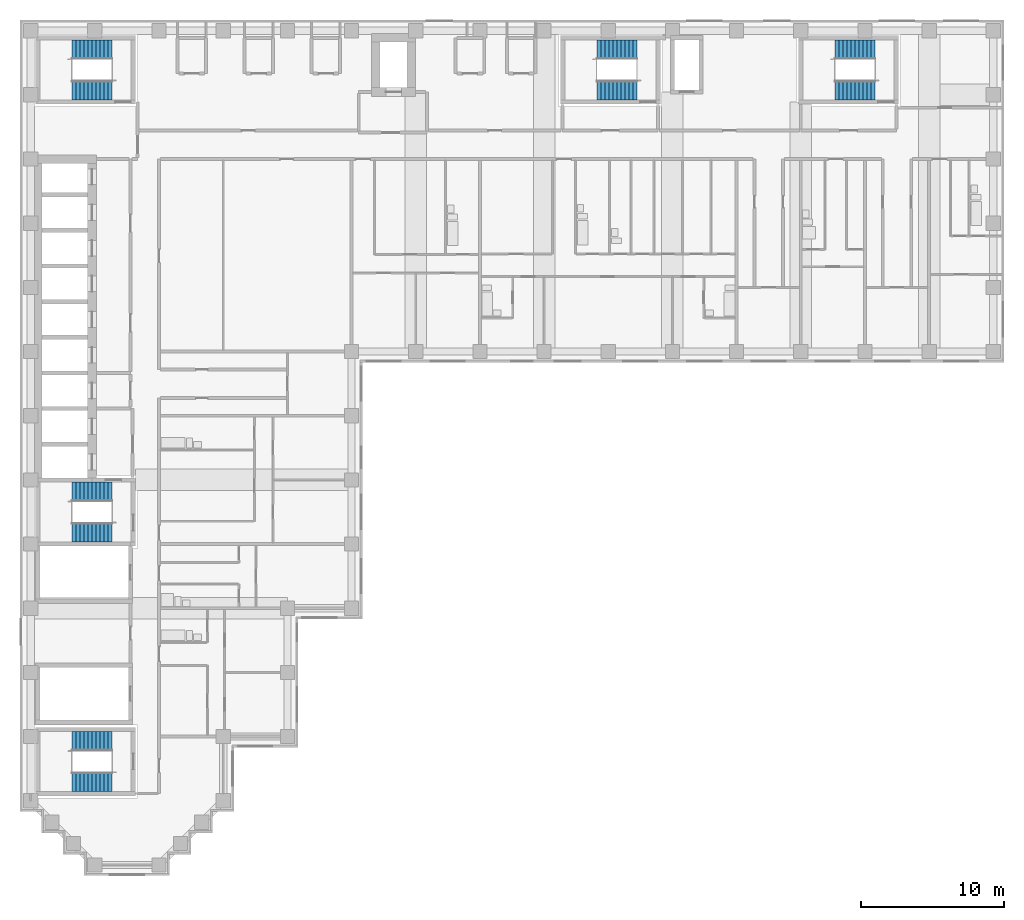
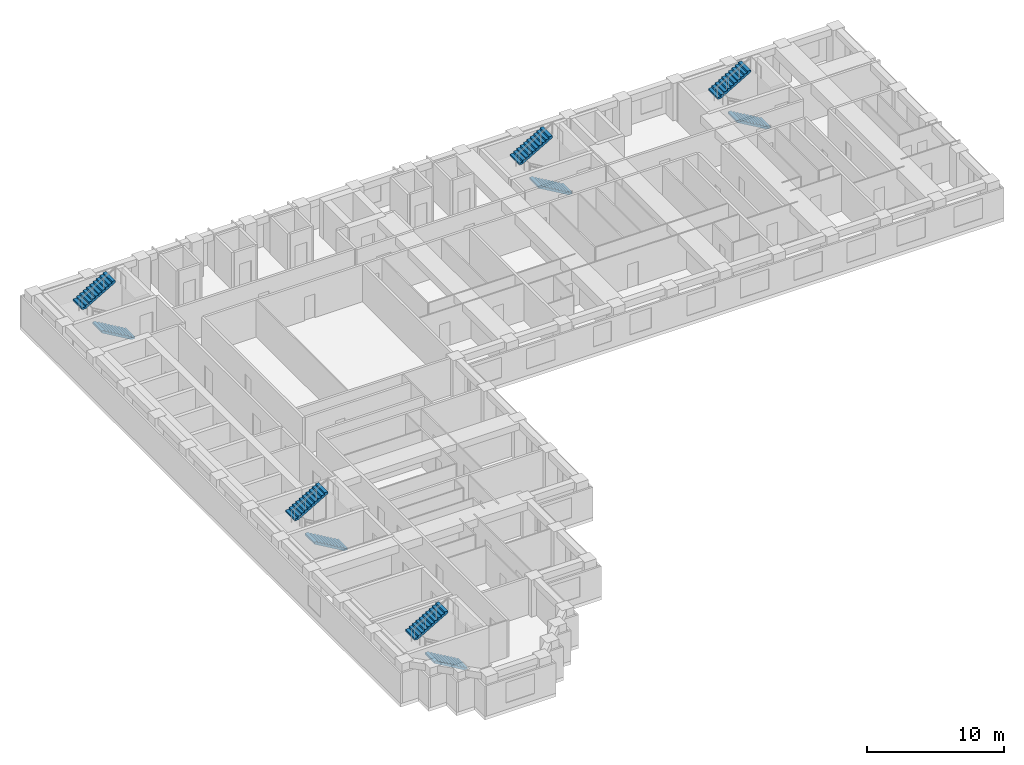
# One storey, part 10 of 12: 10 stair flights, 5 elements without a shape of their own.
"""IFC4 building model written with IfcOpenShell, lengths in metres."""

import ifcopenshell
import ifcopenshell.guid

model = None  # the IFC model being written
_history = None  # IfcOwnerHistory: only IFC2X3 demands one
_inside = {}  # id of a spatial element -> (the spatial element, [elements in it])
_under = {}  # id of a project, library or spatial element -> (it, [spatial elements below it])
_declared = {}  # id of a project -> (the project, [libraries it declares])
_typed = {}  # id of a type object -> (the type object, [elements of that type])
_made_of = {}  # id of a material, layer set ... -> (it, [elements and type objects made of it])


def new_model(schema):
    """Start an empty IFC model of exactly this schema.

    Asked for "IFC4X3", IfcOpenShell would pick the latest addendum, in which some entities
    have other attributes; the version numbers below select the first issue.
    IFC2X3 requires an IfcOwnerHistory on every rooted entity: one is made here for all.
    """
    global model, _history
    if schema == "IFC4X3":
        model = ifcopenshell.file(schema_version=(4, 3, 0, 0))
    else:
        model = ifcopenshell.file(schema=schema)
    _inside.clear()
    _under.clear()
    _declared.clear()
    _typed.clear()
    _made_of.clear()
    _history = None
    if model.schema == "IFC2X3":
        org = make("IfcOrganization", Name="unknown")
        user = make(
            "IfcPersonAndOrganization",
            ThePerson=make("IfcPerson", FamilyName="unknown"),
            TheOrganization=org,
        )
        app = make(
            "IfcApplication",
            ApplicationDeveloper=org,
            Version="unknown",
            ApplicationFullName="unknown",
            ApplicationIdentifier="unknown",
        )
        _history = make(
            "IfcOwnerHistory",
            OwningUser=user,
            OwningApplication=app,
            ChangeAction="ADDED",
            CreationDate=0,
        )
    return model


def make(cls, **values):
    """One entity of the class cls with the attributes given. An attribute that is None is left unset."""
    return model.create_entity(
        cls, **{name: value for name, value in values.items() if value is not None}
    )


def rooted(cls, **values):
    """An entity with a GlobalId (a new one), such as an element, a storey or a relation."""
    return make(cls, GlobalId=ifcopenshell.guid.new(), OwnerHistory=_history, **values)


def si_unit(unit_type, name, prefix=None):
    """IfcSIUnit, for example si_unit("LENGTHUNIT", "METRE", prefix="MILLI")."""
    return make("IfcSIUnit", UnitType=unit_type, Prefix=prefix, Name=name)


def assignment(units):
    """IfcUnitAssignment: the units of a project."""
    return None if units is None else make("IfcUnitAssignment", Units=units)


def point(xyz):
    """IfcCartesianPoint."""
    return None if xyz is None else make("IfcCartesianPoint", Coordinates=xyz)


def direction(xyz):
    """IfcDirection."""
    return None if xyz is None else make("IfcDirection", DirectionRatios=xyz)


def frame(location, z_axis=None, x_axis=None):
    """IfcAxis2Placement3D, a coordinate frame: its origin and axes. An axis left out is left unset."""
    return make(
        "IfcAxis2Placement3D",
        Location=point(location),
        Axis=direction(z_axis),
        RefDirection=direction(x_axis),
    )


def origin():
    """The frame at (0, 0, 0) with its axes left unset."""
    return frame((0.0, 0.0, 0.0))


def place(relative_to, where):
    """IfcLocalPlacement: puts the frame where relative to a parent placement (None: the world)."""
    return make(
        "IfcLocalPlacement", PlacementRelTo=relative_to, RelativePlacement=where
    )


def context(
    kind, dimensions, precision=None, world=None, true_north=None, identifier=None
):
    """IfcGeometricRepresentationContext, for example the 3D "Model" context."""
    return make(
        "IfcGeometricRepresentationContext",
        ContextIdentifier=identifier,
        ContextType=kind,
        CoordinateSpaceDimension=dimensions,
        Precision=precision,
        WorldCoordinateSystem=world,
        TrueNorth=true_north,
    )


def subcontext(parent, identifier, kind, view, scale=None):
    """IfcGeometricRepresentationSubContext, for example "Body" below "Model"."""
    return make(
        "IfcGeometricRepresentationSubContext",
        ContextIdentifier=identifier,
        ContextType=kind,
        ParentContext=parent,
        TargetScale=scale,
        TargetView=view,
    )


def project(units=None, contexts=None):
    """IfcProject with its units and contexts."""
    return rooted(
        "IfcProject",
        Name="project",
        RepresentationContexts=contexts,
        UnitsInContext=assignment(units),
    )


def spatial(cls, under=None, at=None, **own):
    """A site, building, storey or space (cls), placed at a placement, below another one or the project."""
    s = rooted(cls, ObjectPlacement=at, **own)
    if under is not None:
        _under.setdefault(under.id(), (under, []))[1].append(s)
    return s


def polyline(points):
    """IfcPolyline through the points."""
    return make("IfcPolyline", Points=[point(p) for p in points])


def outline(outer, holes=None, kind="AREA"):
    """IfcArbitraryClosedProfileDef: a profile drawn as a closed curve; with holes, ...WithVoids."""
    if holes is None:
        return make("IfcArbitraryClosedProfileDef", ProfileType=kind, OuterCurve=outer)
    return make(
        "IfcArbitraryProfileDefWithVoids",
        ProfileType=kind,
        OuterCurve=outer,
        InnerCurves=holes,
    )


def extrude(swept, where, along, depth):
    """IfcExtrudedAreaSolid: the profile swept, set in the frame where, extruded along a direction by depth."""
    return make(
        "IfcExtrudedAreaSolid",
        SweptArea=swept,
        Position=where,
        ExtrudedDirection=direction(along),
        Depth=depth,
    )


def shape(context_of_items, identifier, shape_type, items):
    """IfcShapeRepresentation: the items that make up one representation, for example the "Body"."""
    return make(
        "IfcShapeRepresentation",
        ContextOfItems=context_of_items,
        RepresentationIdentifier=identifier,
        RepresentationType=shape_type,
        Items=items,
    )


def material(Name=None, Category=None):
    """IfcMaterial."""
    return make("IfcMaterial", Name=Name, Category=Category)


def made_of(thing, what):
    """Note that an element or type object is made of a material, layer set ...; save() writes the relation."""
    if what is not None:
        _made_of.setdefault(what.id(), (what, []))[1].append(thing)
    return thing


def type_object(cls, material=None, **own):
    """A type object (cls), such as IfcWallType, which elements share."""
    return made_of(rooted(cls, **own), material)


def element(
    cls,
    number,
    at=None,
    inside=None,
    cuts=None,
    type_object=None,
    material=None,
    context=None,
    identifier="Body",
    shape_type=None,
    held_by="IfcProductDefinitionShape",
    body=None,
    shapes=None,
    **own,
):
    """One element of the class cls, such as IfcWall. Its Tag is "e" and its number.

    at: its placement. inside: the storey or other place that contains it. cuts: it is an
    opening in that element (IfcRelVoidsElement). A single representation is given by context,
    identifier, shape_type and body (its items); several are given by shapes. held_by: the class
    of the entity that holds the representations. save() writes the other relations.
    """
    e = rooted(cls, Tag="e%d" % number, ObjectPlacement=at, **own)
    if body is not None:
        shapes = [shape(context, identifier, shape_type, body)]
    if shapes is not None:
        e.Representation = make(held_by, Representations=shapes)
    if inside is not None:
        _inside.setdefault(inside.id(), (inside, []))[1].append(e)
    if cuts is not None:
        rooted(
            "IfcRelVoidsElement", RelatingBuildingElement=cuts, RelatedOpeningElement=e
        )
    if type_object is not None:
        _typed.setdefault(type_object.id(), (type_object, []))[1].append(e)
    return made_of(e, material)


def aggregate(whole, parts):
    """IfcRelAggregates: a whole, such as a stair, and the parts it consists of."""
    return rooted("IfcRelAggregates", RelatingObject=whole, RelatedObjects=parts)


def save(model, path):
    """Write the relations noted so far, then the file.

    IfcRelAggregates (storeys below a building ...), IfcRelContainedInSpatialStructure (elements
    in a storey), IfcRelDefinesByType, IfcRelAssociatesMaterial and IfcRelDeclares: one each for
    every whole, place, type object, material and project.
    """
    for whole, parts in _under.values():
        aggregate(whole, parts)
    for where, things in _inside.values():
        rooted(
            "IfcRelContainedInSpatialStructure",
            RelatedElements=things,
            RelatingStructure=where,
        )
    for kind, things in _typed.values():
        rooted("IfcRelDefinesByType", RelatedObjects=things, RelatingType=kind)
    for what, things in _made_of.values():
        rooted("IfcRelAssociatesMaterial", RelatedObjects=things, RelatingMaterial=what)
    for by, libraries in _declared.values():
        rooted("IfcRelDeclares", RelatingContext=by, RelatedDefinitions=libraries)
    model.write(path)


model = new_model("IFC4")

# Units and contexts
model_context = context("Model", 3, precision=1e-05, world=origin(), true_north=direction((0.0, 1.0)))
body_context = subcontext(model_context, "Body", "Model", "MODEL_VIEW")
ifc_project = project(units=[si_unit("LENGTHUNIT", "METRE"), si_unit("AREAUNIT", "SQUARE_METRE"), si_unit("VOLUMEUNIT", "CUBIC_METRE"), si_unit("PLANEANGLEUNIT", "RADIAN"), si_unit("MASSUNIT", "GRAM", prefix="KILO")], contexts=[model_context])

# Site, building, storey
site_placement = place(None, origin())
site = spatial("IfcSite", under=ifc_project, at=site_placement, CompositionType="ELEMENT")
building_placement = place(site_placement, origin())
building = spatial("IfcBuilding", under=site, at=building_placement, Name="Firuza Court", CompositionType="ELEMENT")
storey_placement = place(building_placement, frame((0.0, 0.0, 123.199951171875)))
storey = spatial("IfcBuildingStorey", under=building, at=storey_placement, Name="L30", CompositionType="ELEMENT", Elevation=123.199951171875)

# Stair, stair flights
ifc_material_1 = material(Name="Concrete C40/50 precast", Category="concrete")
stair_type = type_object("IfcStairType", Name="Stair 1350 x 3600 2 flights", PredefinedType="HALF_TURN_STAIR", material=ifc_material_1)
stair_1_placement = place(storey_placement, origin())
stair_1 = element("IfcStair", 1, at=stair_1_placement, inside=storey, type_object=stair_type, Name="Stair 1 L30", PredefinedType="HALF_TURN_STAIR")
ifc_material_2 = material(Name="Concrete C40/50 precast", Category="concrete")
stair_flight_type = type_object("IfcStairFlightType", Name="Flight 1350 riser 163.6", PredefinedType="STRAIGHT", material=ifc_material_2)
stair_flight_1_placement = place(storey_placement, frame((42.5, 54.324951171875, 0.0), z_axis=(0.0, 0.0, 1.0), x_axis=(-1.0, 0.0, 0.0)))
stair_flight_1 = element("IfcStairFlight", 2, at=stair_flight_1_placement, type_object=stair_flight_type, Name="S1 flight 1", NumberOfRisers=11, NumberOfTreads=10, PredefinedType="STRAIGHT", RiserHeight=0.163636364, TreadLength=0.28, context=body_context, shape_type="SweptSolid", body=[
    extrude(outline(polyline([(0.0, 0.0), (0.0, 0.16357421875), (0.280029296875, 0.16357421875), (0.280029296875, 0.327392578125), (0.56005859375, 0.327392578125), (0.56005859375, 0.490966796875), (0.840087890625, 0.490966796875), (0.840087890625, 0.654541015625), (1.1201171875, 0.654541015625), (1.1201171875, 0.818115234375), (1.39990234375, 0.818115234375), (1.39990234375, 0.98193359375), (1.679931640625, 0.98193359375), (1.679931640625, 1.1455078125), (1.9599609375, 1.1455078125), (1.9599609375, 1.30908203125), (2.239990234375, 1.30908203125), (2.239990234375, 1.47265625), (2.52001953125, 1.47265625), (2.52001953125, 1.636474609375), (2.800048828125, 1.636474609375), (2.800048828125, 1.800048828125), (2.800048828125, 1.462646484375), (0.297119140625, 0.0), (0.0, 0.0)])), frame((0.0, 0.675048828125, 0.0), z_axis=(0.0, -1.0, 0.0), x_axis=(1.0, 0.0, 0.0)), (0.0, 0.0, 1.0), 1.35009765625),
])
stair_flight_2_placement = place(storey_placement, frame((39.699951171875, 57.175048828125, 1.800048828125), z_axis=(0.0, 0.0, 1.0), x_axis=(1.0, 0.0, 0.0)))
stair_flight_2 = element("IfcStairFlight", 3, at=stair_flight_2_placement, type_object=stair_flight_type, Name="S1 flight 2", NumberOfRisers=11, NumberOfTreads=10, PredefinedType="STRAIGHT", RiserHeight=0.163636364, TreadLength=0.28, context=body_context, shape_type="SweptSolid", body=[
    extrude(outline(polyline([(0.0, 0.0), (0.0, 0.16357421875), (0.280029296875, 0.16357421875), (0.280029296875, 0.327392578125), (0.56005859375, 0.327392578125), (0.56005859375, 0.490966796875), (0.840087890625, 0.490966796875), (0.840087890625, 0.654541015625), (1.1201171875, 0.654541015625), (1.1201171875, 0.818115234375), (1.39990234375, 0.818115234375), (1.39990234375, 0.98193359375), (1.679931640625, 0.98193359375), (1.679931640625, 1.1455078125), (1.9599609375, 1.1455078125), (1.9599609375, 1.30908203125), (2.239990234375, 1.30908203125), (2.239990234375, 1.47265625), (2.52001953125, 1.47265625), (2.52001953125, 1.636474609375), (2.800048828125, 1.636474609375), (2.800048828125, 1.800048828125), (2.800048828125, 1.462646484375), (0.297119140625, 0.0), (0.0, 0.0)])), frame((0.0, 0.675048828125, 0.0), z_axis=(0.0, -1.0, 0.0), x_axis=(1.0, 0.0, 0.0)), (0.0, 0.0, 1.0), 1.35009765625),
])
aggregate(stair_1, [stair_flight_1, stair_flight_2])

stair_2_placement = place(storey_placement, origin())
stair_2 = element("IfcStair", 4, at=stair_2_placement, inside=storey, type_object=stair_type, Name="Stair 2 L30", PredefinedType="HALF_TURN_STAIR")
stair_flight_3_placement = place(storey_placement, frame((5.699951171875, 23.324951171875, 0.0), z_axis=(0.0, 0.0, 1.0), x_axis=(-1.0, 0.0, 0.0)))
stair_flight_3 = element("IfcStairFlight", 5, at=stair_flight_3_placement, type_object=stair_flight_type, Name="S2 flight 1", NumberOfRisers=11, NumberOfTreads=10, PredefinedType="STRAIGHT", RiserHeight=0.163636364, TreadLength=0.28, context=body_context, shape_type="SweptSolid", body=[
    extrude(outline(polyline([(0.0, 0.0), (0.0, 0.16357421875), (0.280029296875, 0.16357421875), (0.280029296875, 0.327392578125), (0.56005859375, 0.327392578125), (0.56005859375, 0.490966796875), (0.840087890625, 0.490966796875), (0.840087890625, 0.654541015625), (1.1201171875, 0.654541015625), (1.1201171875, 0.818115234375), (1.39990234375, 0.818115234375), (1.39990234375, 0.98193359375), (1.679931640625, 0.98193359375), (1.679931640625, 1.1455078125), (1.9599609375, 1.1455078125), (1.9599609375, 1.30908203125), (2.239990234375, 1.30908203125), (2.239990234375, 1.47265625), (2.52001953125, 1.47265625), (2.52001953125, 1.636474609375), (2.800048828125, 1.636474609375), (2.800048828125, 1.800048828125), (2.800048828125, 1.462646484375), (0.297119140625, 0.0), (0.0, 0.0)])), frame((0.0, 0.675048828125, 0.0), z_axis=(0.0, -1.0, 0.0), x_axis=(1.0, 0.0, 0.0)), (0.0, 0.0, 1.0), 1.35009765625),
])
stair_flight_4_placement = place(storey_placement, frame((2.89990234375, 26.175048828125, 1.800048828125), z_axis=(0.0, 0.0, 1.0), x_axis=(1.0, 0.0, 0.0)))
stair_flight_4 = element("IfcStairFlight", 6, at=stair_flight_4_placement, type_object=stair_flight_type, Name="S2 flight 2", NumberOfRisers=11, NumberOfTreads=10, PredefinedType="STRAIGHT", RiserHeight=0.163636364, TreadLength=0.28, context=body_context, shape_type="SweptSolid", body=[
    extrude(outline(polyline([(0.0, 0.0), (0.0, 0.16357421875), (0.280029296875, 0.16357421875), (0.280029296875, 0.327392578125), (0.56005859375, 0.327392578125), (0.56005859375, 0.490966796875), (0.840087890625, 0.490966796875), (0.840087890625, 0.654541015625), (1.1201171875, 0.654541015625), (1.1201171875, 0.818115234375), (1.39990234375, 0.818115234375), (1.39990234375, 0.98193359375), (1.679931640625, 0.98193359375), (1.679931640625, 1.1455078125), (1.9599609375, 1.1455078125), (1.9599609375, 1.30908203125), (2.239990234375, 1.30908203125), (2.239990234375, 1.47265625), (2.52001953125, 1.47265625), (2.52001953125, 1.636474609375), (2.800048828125, 1.636474609375), (2.800048828125, 1.800048828125), (2.800048828125, 1.462646484375), (0.297119140625, 0.0), (0.0, 0.0)])), frame((0.0, 0.675048828125, 0.0), z_axis=(0.0, -1.0, 0.0), x_axis=(1.0, 0.0, 0.0)), (0.0, 0.0, 1.0), 1.35009765625),
])
aggregate(stair_2, [stair_flight_3, stair_flight_4])

stair_3_placement = place(storey_placement, origin())
stair_3 = element("IfcStair", 7, at=stair_3_placement, inside=storey, type_object=stair_type, Name="Stair 3 L30", PredefinedType="HALF_TURN_STAIR")
stair_flight_5_placement = place(storey_placement, frame((5.699951171875, 54.324951171875, 0.0), z_axis=(0.0, 0.0, 1.0), x_axis=(-1.0, 0.0, 0.0)))
stair_flight_5 = element("IfcStairFlight", 8, at=stair_flight_5_placement, type_object=stair_flight_type, Name="S3 flight 1", NumberOfRisers=11, NumberOfTreads=10, PredefinedType="STRAIGHT", RiserHeight=0.163636364, TreadLength=0.28, context=body_context, shape_type="SweptSolid", body=[
    extrude(outline(polyline([(0.0, 0.0), (0.0, 0.16357421875), (0.280029296875, 0.16357421875), (0.280029296875, 0.327392578125), (0.56005859375, 0.327392578125), (0.56005859375, 0.490966796875), (0.840087890625, 0.490966796875), (0.840087890625, 0.654541015625), (1.1201171875, 0.654541015625), (1.1201171875, 0.818115234375), (1.39990234375, 0.818115234375), (1.39990234375, 0.98193359375), (1.679931640625, 0.98193359375), (1.679931640625, 1.1455078125), (1.9599609375, 1.1455078125), (1.9599609375, 1.30908203125), (2.239990234375, 1.30908203125), (2.239990234375, 1.47265625), (2.52001953125, 1.47265625), (2.52001953125, 1.636474609375), (2.800048828125, 1.636474609375), (2.800048828125, 1.800048828125), (2.800048828125, 1.462646484375), (0.297119140625, 0.0), (0.0, 0.0)])), frame((0.0, 0.675048828125, 0.0), z_axis=(0.0, -1.0, 0.0), x_axis=(1.0, 0.0, 0.0)), (0.0, 0.0, 1.0), 1.35009765625),
])
stair_flight_6_placement = place(storey_placement, frame((2.89990234375, 57.175048828125, 1.800048828125), z_axis=(0.0, 0.0, 1.0), x_axis=(1.0, 0.0, 0.0)))
stair_flight_6 = element("IfcStairFlight", 9, at=stair_flight_6_placement, type_object=stair_flight_type, Name="S3 flight 2", NumberOfRisers=11, NumberOfTreads=10, PredefinedType="STRAIGHT", RiserHeight=0.163636364, TreadLength=0.28, context=body_context, shape_type="SweptSolid", body=[
    extrude(outline(polyline([(0.0, 0.0), (0.0, 0.16357421875), (0.280029296875, 0.16357421875), (0.280029296875, 0.327392578125), (0.56005859375, 0.327392578125), (0.56005859375, 0.490966796875), (0.840087890625, 0.490966796875), (0.840087890625, 0.654541015625), (1.1201171875, 0.654541015625), (1.1201171875, 0.818115234375), (1.39990234375, 0.818115234375), (1.39990234375, 0.98193359375), (1.679931640625, 0.98193359375), (1.679931640625, 1.1455078125), (1.9599609375, 1.1455078125), (1.9599609375, 1.30908203125), (2.239990234375, 1.30908203125), (2.239990234375, 1.47265625), (2.52001953125, 1.47265625), (2.52001953125, 1.636474609375), (2.800048828125, 1.636474609375), (2.800048828125, 1.800048828125), (2.800048828125, 1.462646484375), (0.297119140625, 0.0), (0.0, 0.0)])), frame((0.0, 0.675048828125, 0.0), z_axis=(0.0, -1.0, 0.0), x_axis=(1.0, 0.0, 0.0)), (0.0, 0.0, 1.0), 1.35009765625),
])
aggregate(stair_3, [stair_flight_5, stair_flight_6])

stair_4_placement = place(storey_placement, origin())
stair_4 = element("IfcStair", 10, at=stair_4_placement, inside=storey, type_object=stair_type, Name="Stair 4 L30", PredefinedType="HALF_TURN_STAIR")
stair_flight_7_placement = place(storey_placement, frame((59.199951171875, 54.324951171875, 0.0), z_axis=(0.0, 0.0, 1.0), x_axis=(-1.0, 0.0, 0.0)))
stair_flight_7 = element("IfcStairFlight", 11, at=stair_flight_7_placement, type_object=stair_flight_type, Name="S4 flight 1", NumberOfRisers=11, NumberOfTreads=10, PredefinedType="STRAIGHT", RiserHeight=0.163636364, TreadLength=0.28, context=body_context, shape_type="SweptSolid", body=[
    extrude(outline(polyline([(0.0, 0.0), (0.0, 0.16357421875), (0.280029296875, 0.16357421875), (0.280029296875, 0.327392578125), (0.56005859375, 0.327392578125), (0.56005859375, 0.490966796875), (0.840087890625, 0.490966796875), (0.840087890625, 0.654541015625), (1.1201171875, 0.654541015625), (1.1201171875, 0.818115234375), (1.39990234375, 0.818115234375), (1.39990234375, 0.98193359375), (1.679931640625, 0.98193359375), (1.679931640625, 1.1455078125), (1.9599609375, 1.1455078125), (1.9599609375, 1.30908203125), (2.239990234375, 1.30908203125), (2.239990234375, 1.47265625), (2.52001953125, 1.47265625), (2.52001953125, 1.636474609375), (2.800048828125, 1.636474609375), (2.800048828125, 1.800048828125), (2.800048828125, 1.462646484375), (0.297119140625, 0.0), (0.0, 0.0)])), frame((0.0, 0.675048828125, 0.0), z_axis=(0.0, -1.0, 0.0), x_axis=(1.0, 0.0, 0.0)), (0.0, 0.0, 1.0), 1.35009765625),
])
stair_flight_8_placement = place(storey_placement, frame((56.39990234375, 57.175048828125, 1.800048828125), z_axis=(0.0, 0.0, 1.0), x_axis=(1.0, 0.0, 0.0)))
stair_flight_8 = element("IfcStairFlight", 12, at=stair_flight_8_placement, type_object=stair_flight_type, Name="S4 flight 2", NumberOfRisers=11, NumberOfTreads=10, PredefinedType="STRAIGHT", RiserHeight=0.163636364, TreadLength=0.28, context=body_context, shape_type="SweptSolid", body=[
    extrude(outline(polyline([(0.0, 0.0), (0.0, 0.16357421875), (0.280029296875, 0.16357421875), (0.280029296875, 0.327392578125), (0.56005859375, 0.327392578125), (0.56005859375, 0.490966796875), (0.840087890625, 0.490966796875), (0.840087890625, 0.654541015625), (1.1201171875, 0.654541015625), (1.1201171875, 0.818115234375), (1.39990234375, 0.818115234375), (1.39990234375, 0.98193359375), (1.679931640625, 0.98193359375), (1.679931640625, 1.1455078125), (1.9599609375, 1.1455078125), (1.9599609375, 1.30908203125), (2.239990234375, 1.30908203125), (2.239990234375, 1.47265625), (2.52001953125, 1.47265625), (2.52001953125, 1.636474609375), (2.800048828125, 1.636474609375), (2.800048828125, 1.800048828125), (2.800048828125, 1.462646484375), (0.297119140625, 0.0), (0.0, 0.0)])), frame((0.0, 0.675048828125, 0.0), z_axis=(0.0, -1.0, 0.0), x_axis=(1.0, 0.0, 0.0)), (0.0, 0.0, 1.0), 1.35009765625),
])
aggregate(stair_4, [stair_flight_7, stair_flight_8])

stair_5_placement = place(storey_placement, origin())
stair_5 = element("IfcStair", 13, at=stair_5_placement, inside=storey, type_object=stair_type, Name="Stair 5 L30", PredefinedType="HALF_TURN_STAIR")
stair_flight_9_placement = place(storey_placement, frame((5.699951171875, 5.824951171875, 0.0), z_axis=(0.0, 0.0, 1.0), x_axis=(-1.0, 0.0, 0.0)))
stair_flight_9 = element("IfcStairFlight", 14, at=stair_flight_9_placement, type_object=stair_flight_type, Name="S5 flight 1", NumberOfRisers=11, NumberOfTreads=10, PredefinedType="STRAIGHT", RiserHeight=0.163636364, TreadLength=0.28, context=body_context, shape_type="SweptSolid", body=[
    extrude(outline(polyline([(0.0, 0.0), (0.0, 0.16357421875), (0.280029296875, 0.16357421875), (0.280029296875, 0.327392578125), (0.56005859375, 0.327392578125), (0.56005859375, 0.490966796875), (0.840087890625, 0.490966796875), (0.840087890625, 0.654541015625), (1.1201171875, 0.654541015625), (1.1201171875, 0.818115234375), (1.39990234375, 0.818115234375), (1.39990234375, 0.98193359375), (1.679931640625, 0.98193359375), (1.679931640625, 1.1455078125), (1.9599609375, 1.1455078125), (1.9599609375, 1.30908203125), (2.239990234375, 1.30908203125), (2.239990234375, 1.47265625), (2.52001953125, 1.47265625), (2.52001953125, 1.636474609375), (2.800048828125, 1.636474609375), (2.800048828125, 1.800048828125), (2.800048828125, 1.462646484375), (0.297119140625, 0.0), (0.0, 0.0)])), frame((0.0, 0.675048828125, 0.0), z_axis=(0.0, -1.0, 0.0), x_axis=(1.0, 0.0, 0.0)), (0.0, 0.0, 1.0), 1.35009765625),
])
stair_flight_10_placement = place(storey_placement, frame((2.89990234375, 8.675048828125, 1.800048828125), z_axis=(0.0, 0.0, 1.0), x_axis=(1.0, 0.0, 0.0)))
stair_flight_10 = element("IfcStairFlight", 15, at=stair_flight_10_placement, type_object=stair_flight_type, Name="S5 flight 2", NumberOfRisers=11, NumberOfTreads=10, PredefinedType="STRAIGHT", RiserHeight=0.163636364, TreadLength=0.28, context=body_context, shape_type="SweptSolid", body=[
    extrude(outline(polyline([(0.0, 0.0), (0.0, 0.16357421875), (0.280029296875, 0.16357421875), (0.280029296875, 0.327392578125), (0.56005859375, 0.327392578125), (0.56005859375, 0.490966796875), (0.840087890625, 0.490966796875), (0.840087890625, 0.654541015625), (1.1201171875, 0.654541015625), (1.1201171875, 0.818115234375), (1.39990234375, 0.818115234375), (1.39990234375, 0.98193359375), (1.679931640625, 0.98193359375), (1.679931640625, 1.1455078125), (1.9599609375, 1.1455078125), (1.9599609375, 1.30908203125), (2.239990234375, 1.30908203125), (2.239990234375, 1.47265625), (2.52001953125, 1.47265625), (2.52001953125, 1.636474609375), (2.800048828125, 1.636474609375), (2.800048828125, 1.800048828125), (2.800048828125, 1.462646484375), (0.297119140625, 0.0), (0.0, 0.0)])), frame((0.0, 0.675048828125, 0.0), z_axis=(0.0, -1.0, 0.0), x_axis=(1.0, 0.0, 0.0)), (0.0, 0.0, 1.0), 1.35009765625),
])
aggregate(stair_5, [stair_flight_9, stair_flight_10])

save(model, "model.ifc")
